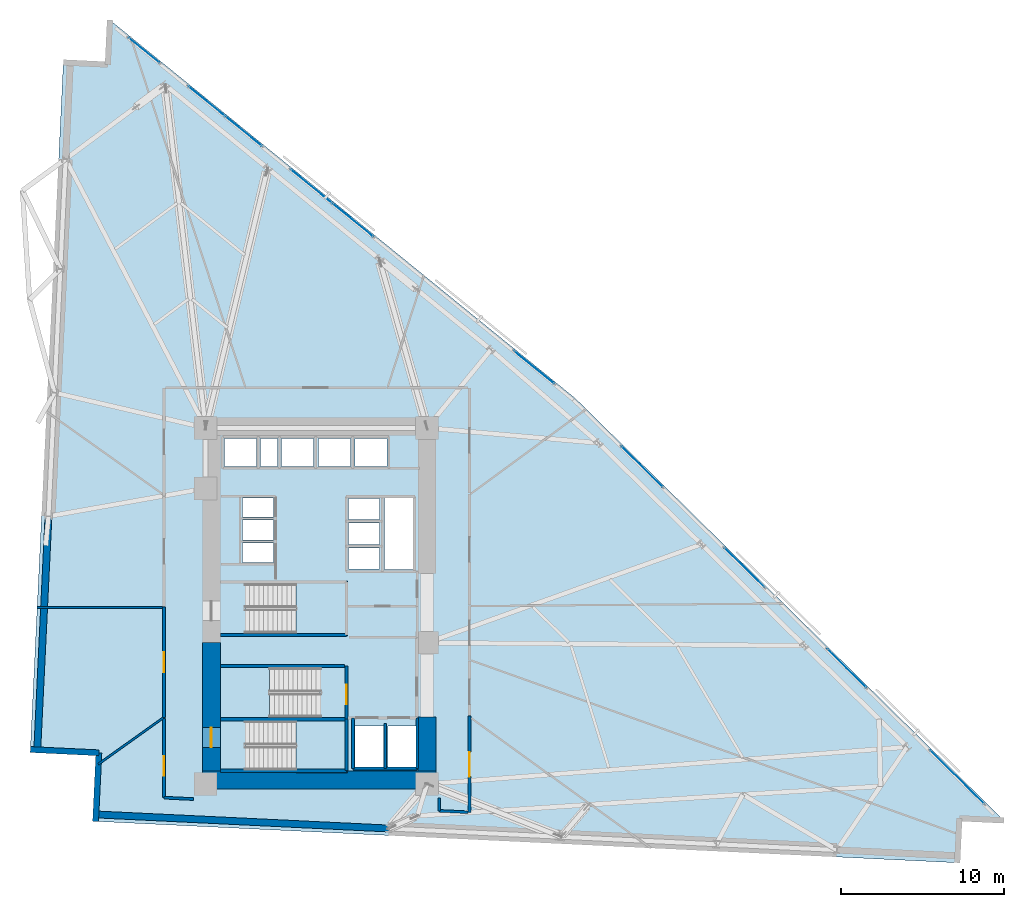
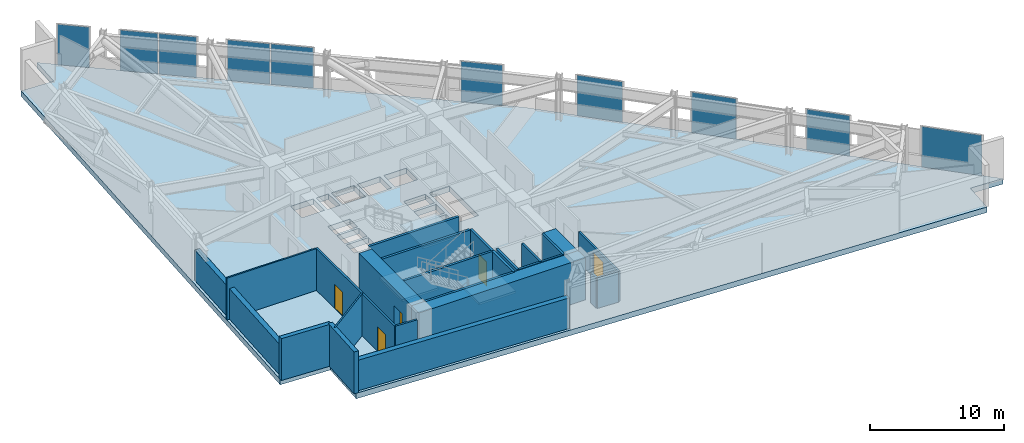
# One storey, part 12 of 18: 25 walls, 10 plates, 5 doors, 4 slabs, 5 openings, 11 elements without a shape of their own.
"""IFC4 building model written with IfcOpenShell, lengths in metres."""

import ifcopenshell
import ifcopenshell.guid

model = None  # the IFC model being written
_history = None  # IfcOwnerHistory: only IFC2X3 demands one
_inside = {}  # id of a spatial element -> (the spatial element, [elements in it])
_under = {}  # id of a project, library or spatial element -> (it, [spatial elements below it])
_declared = {}  # id of a project -> (the project, [libraries it declares])
_typed = {}  # id of a type object -> (the type object, [elements of that type])
_made_of = {}  # id of a material, layer set ... -> (it, [elements and type objects made of it])


def new_model(schema):
    """Start an empty IFC model of exactly this schema.

    Asked for "IFC4X3", IfcOpenShell would pick the latest addendum, in which some entities
    have other attributes; the version numbers below select the first issue.
    IFC2X3 requires an IfcOwnerHistory on every rooted entity: one is made here for all.
    """
    global model, _history
    if schema == "IFC4X3":
        model = ifcopenshell.file(schema_version=(4, 3, 0, 0))
    else:
        model = ifcopenshell.file(schema=schema)
    _inside.clear()
    _under.clear()
    _declared.clear()
    _typed.clear()
    _made_of.clear()
    _history = None
    if model.schema == "IFC2X3":
        org = make("IfcOrganization", Name="unknown")
        user = make(
            "IfcPersonAndOrganization",
            ThePerson=make("IfcPerson", FamilyName="unknown"),
            TheOrganization=org,
        )
        app = make(
            "IfcApplication",
            ApplicationDeveloper=org,
            Version="unknown",
            ApplicationFullName="unknown",
            ApplicationIdentifier="unknown",
        )
        _history = make(
            "IfcOwnerHistory",
            OwningUser=user,
            OwningApplication=app,
            ChangeAction="ADDED",
            CreationDate=0,
        )
    return model


def make(cls, **values):
    """One entity of the class cls with the attributes given. An attribute that is None is left unset."""
    return model.create_entity(
        cls, **{name: value for name, value in values.items() if value is not None}
    )


def rooted(cls, **values):
    """An entity with a GlobalId (a new one), such as an element, a storey or a relation."""
    return make(cls, GlobalId=ifcopenshell.guid.new(), OwnerHistory=_history, **values)


def si_unit(unit_type, name, prefix=None):
    """IfcSIUnit, for example si_unit("LENGTHUNIT", "METRE", prefix="MILLI")."""
    return make("IfcSIUnit", UnitType=unit_type, Prefix=prefix, Name=name)


def assignment(units):
    """IfcUnitAssignment: the units of a project."""
    return None if units is None else make("IfcUnitAssignment", Units=units)


def point(xyz):
    """IfcCartesianPoint."""
    return None if xyz is None else make("IfcCartesianPoint", Coordinates=xyz)


def direction(xyz):
    """IfcDirection."""
    return None if xyz is None else make("IfcDirection", DirectionRatios=xyz)


def frame(location, z_axis=None, x_axis=None):
    """IfcAxis2Placement3D, a coordinate frame: its origin and axes. An axis left out is left unset."""
    return make(
        "IfcAxis2Placement3D",
        Location=point(location),
        Axis=direction(z_axis),
        RefDirection=direction(x_axis),
    )


def frame_2d(location, x_axis=None):
    """IfcAxis2Placement2D, a coordinate frame in the plane: its origin and x axis."""
    return make(
        "IfcAxis2Placement2D", Location=point(location), RefDirection=direction(x_axis)
    )


def origin():
    """The frame at (0, 0, 0) with its axes left unset."""
    return frame((0.0, 0.0, 0.0))


def origin_2d():
    """The frame at (0, 0) in the plane with its x axis left unset."""
    return frame_2d((0.0, 0.0))


def place(relative_to, where):
    """IfcLocalPlacement: puts the frame where relative to a parent placement (None: the world)."""
    return make(
        "IfcLocalPlacement", PlacementRelTo=relative_to, RelativePlacement=where
    )


def context(
    kind, dimensions, precision=None, world=None, true_north=None, identifier=None
):
    """IfcGeometricRepresentationContext, for example the 3D "Model" context."""
    return make(
        "IfcGeometricRepresentationContext",
        ContextIdentifier=identifier,
        ContextType=kind,
        CoordinateSpaceDimension=dimensions,
        Precision=precision,
        WorldCoordinateSystem=world,
        TrueNorth=true_north,
    )


def subcontext(parent, identifier, kind, view, scale=None):
    """IfcGeometricRepresentationSubContext, for example "Body" below "Model"."""
    return make(
        "IfcGeometricRepresentationSubContext",
        ContextIdentifier=identifier,
        ContextType=kind,
        ParentContext=parent,
        TargetScale=scale,
        TargetView=view,
    )


def project(units=None, contexts=None):
    """IfcProject with its units and contexts."""
    return rooted(
        "IfcProject",
        Name="project",
        RepresentationContexts=contexts,
        UnitsInContext=assignment(units),
    )


def spatial(cls, under=None, at=None, **own):
    """A site, building, storey or space (cls), placed at a placement, below another one or the project."""
    s = rooted(cls, ObjectPlacement=at, **own)
    if under is not None:
        _under.setdefault(under.id(), (under, []))[1].append(s)
    return s


def polyline(points):
    """IfcPolyline through the points."""
    return make("IfcPolyline", Points=[point(p) for p in points])


def profile(cls, at=None, kind="AREA", **sizes):
    """A parametric profile (cls). Its sizes go by their IFC names, for example OverallWidth=200.0."""
    return make(cls, ProfileType=kind, Position=at, **sizes)


def rectangle(**sizes):
    """IfcRectangleProfileDef."""
    return profile("IfcRectangleProfileDef", **sizes)


def outline(outer, holes=None, kind="AREA"):
    """IfcArbitraryClosedProfileDef: a profile drawn as a closed curve; with holes, ...WithVoids."""
    if holes is None:
        return make("IfcArbitraryClosedProfileDef", ProfileType=kind, OuterCurve=outer)
    return make(
        "IfcArbitraryProfileDefWithVoids",
        ProfileType=kind,
        OuterCurve=outer,
        InnerCurves=holes,
    )


def extrude(swept, where, along, depth):
    """IfcExtrudedAreaSolid: the profile swept, set in the frame where, extruded along a direction by depth."""
    return make(
        "IfcExtrudedAreaSolid",
        SweptArea=swept,
        Position=where,
        ExtrudedDirection=direction(along),
        Depth=depth,
    )


def shape(context_of_items, identifier, shape_type, items):
    """IfcShapeRepresentation: the items that make up one representation, for example the "Body"."""
    return make(
        "IfcShapeRepresentation",
        ContextOfItems=context_of_items,
        RepresentationIdentifier=identifier,
        RepresentationType=shape_type,
        Items=items,
    )


def material(Name=None, Category=None):
    """IfcMaterial."""
    return make("IfcMaterial", Name=Name, Category=Category)


def layer(
    of_material, thickness, ventilated=None, Name=None, Category=None, Priority=None
):
    """IfcMaterialLayer: one layer of a wall or slab, of a material (None: an air gap)."""
    return make(
        "IfcMaterialLayer",
        Material=of_material,
        LayerThickness=thickness,
        IsVentilated=ventilated,
        Name=Name,
        Category=Category,
        Priority=Priority,
    )


def layer_set(layers, Name=None):
    """IfcMaterialLayerSet."""
    return make("IfcMaterialLayerSet", MaterialLayers=layers, LayerSetName=Name)


def made_of(thing, what):
    """Note that an element or type object is made of a material, layer set ...; save() writes the relation."""
    if what is not None:
        _made_of.setdefault(what.id(), (what, []))[1].append(thing)
    return thing


def type_object(cls, material=None, **own):
    """A type object (cls), such as IfcWallType, which elements share."""
    return made_of(rooted(cls, **own), material)


def element(
    cls,
    number,
    at=None,
    inside=None,
    cuts=None,
    type_object=None,
    material=None,
    context=None,
    identifier="Body",
    shape_type=None,
    held_by="IfcProductDefinitionShape",
    body=None,
    shapes=None,
    **own,
):
    """One element of the class cls, such as IfcWall. Its Tag is "e" and its number.

    at: its placement. inside: the storey or other place that contains it. cuts: it is an
    opening in that element (IfcRelVoidsElement). A single representation is given by context,
    identifier, shape_type and body (its items); several are given by shapes. held_by: the class
    of the entity that holds the representations. save() writes the other relations.
    """
    e = rooted(cls, Tag="e%d" % number, ObjectPlacement=at, **own)
    if body is not None:
        shapes = [shape(context, identifier, shape_type, body)]
    if shapes is not None:
        e.Representation = make(held_by, Representations=shapes)
    if inside is not None:
        _inside.setdefault(inside.id(), (inside, []))[1].append(e)
    if cuts is not None:
        rooted(
            "IfcRelVoidsElement", RelatingBuildingElement=cuts, RelatedOpeningElement=e
        )
    if type_object is not None:
        _typed.setdefault(type_object.id(), (type_object, []))[1].append(e)
    return made_of(e, material)


def fill(opening, filler):
    """IfcRelFillsElement: the door or window that sits in an opening."""
    return rooted(
        "IfcRelFillsElement",
        RelatingOpeningElement=opening,
        RelatedBuildingElement=filler,
    )


def aggregate(whole, parts):
    """IfcRelAggregates: a whole, such as a stair, and the parts it consists of."""
    return rooted("IfcRelAggregates", RelatingObject=whole, RelatedObjects=parts)


def save(model, path):
    """Write the relations noted so far, then the file.

    IfcRelAggregates (storeys below a building ...), IfcRelContainedInSpatialStructure (elements
    in a storey), IfcRelDefinesByType, IfcRelAssociatesMaterial and IfcRelDeclares: one each for
    every whole, place, type object, material and project.
    """
    for whole, parts in _under.values():
        aggregate(whole, parts)
    for where, things in _inside.values():
        rooted(
            "IfcRelContainedInSpatialStructure",
            RelatedElements=things,
            RelatingStructure=where,
        )
    for kind, things in _typed.values():
        rooted("IfcRelDefinesByType", RelatedObjects=things, RelatingType=kind)
    for what, things in _made_of.values():
        rooted("IfcRelAssociatesMaterial", RelatedObjects=things, RelatingMaterial=what)
    for by, libraries in _declared.values():
        rooted("IfcRelDeclares", RelatingContext=by, RelatedDefinitions=libraries)
    model.write(path)


model = new_model("IFC4")

# Units and contexts
model_context = context("Model", 3, precision=1e-05, world=origin(), true_north=direction((0.0, 1.0)))
body_context = subcontext(model_context, "Body", "Model", "MODEL_VIEW")
ifc_project = project(units=[si_unit("LENGTHUNIT", "METRE"), si_unit("AREAUNIT", "SQUARE_METRE"), si_unit("VOLUMEUNIT", "CUBIC_METRE"), si_unit("PLANEANGLEUNIT", "RADIAN"), si_unit("MASSUNIT", "GRAM", prefix="KILO")], contexts=[model_context])

# Site, building, storey
site_placement = place(None, origin())
site = spatial("IfcSite", under=ifc_project, at=site_placement, CompositionType="ELEMENT")
building_placement = place(site_placement, origin())
building = spatial("IfcBuilding", under=site, at=building_placement, Name="Narakoshi Arena Tower", CompositionType="ELEMENT")
storey_placement = place(building_placement, frame((0.0, 0.0, 59.10009765625)))
storey = spatial("IfcBuildingStorey", under=building, at=storey_placement, Name="L15", CompositionType="ELEMENT", Elevation=59.10009765625)

# Curtain wall, plate
ifc_material_1 = material(Name="Anodised bronze aluminium 6063-T6", Category="aluminium")
curtain_wall_type = type_object("IfcCurtainWallType", Name="CW-HYP-LOW", PredefinedType="NOTDEFINED", material=ifc_material_1)
curtain_wall_1_placement = place(storey_placement, origin())
curtain_wall_1 = element("IfcCurtainWall", 1, at=curtain_wall_1_placement, inside=storey, type_object=curtain_wall_type, Name="L15 Folded Hypotenuse Curtain Wall 1-1", PredefinedType="NOTDEFINED")
ifc_material_2 = material(Name="Bronze-tinted low-E laminated glass", Category="glass")
ifc_layer_1 = layer(ifc_material_2, 0.031982421875)
ifc_layer_set_1 = layer_set([ifc_layer_1], Name="Bronze-tinted low-E laminated glass")
plate_type = type_object("IfcPlateType", Name="PLT-GLZ-32", PredefinedType="CURTAIN_PANEL", material=ifc_layer_set_1)
plate_1_placement = place(storey_placement, frame((118.001220703125, 35.12255859375, 0.06494140625), z_axis=(0.0, 0.0, 1.0), x_axis=(-0.712545580767, 0.701625822878, 0.0)))
plate_1 = element("IfcPlate", 2, at=plate_1_placement, type_object=plate_type, Name="CW-01 panel 1.1", PredefinedType="CURTAIN_PANEL", context=body_context, shape_type="SweptSolid", body=[
    extrude(rectangle(XDim=4.63037109375, YDim=0.031982421875, at=origin_2d()), origin(), (0.0, 0.0, 1.0), 3.669921875),
])
aggregate(curtain_wall_1, [plate_1])

curtain_wall_2_placement = place(storey_placement, origin())
curtain_wall_2 = element("IfcCurtainWall", 3, at=curtain_wall_2_placement, inside=storey, type_object=curtain_wall_type, Name="L15 Folded Hypotenuse Curtain Wall 1-2", PredefinedType="NOTDEFINED")
plate_2_placement = place(storey_placement, frame((111.23583984375, 41.7841796875, 0.06494140625), z_axis=(0.0, 0.0, 1.0), x_axis=(-0.712532903003, 0.701638697719, 0.0)))
plate_2 = element("IfcPlate", 4, at=plate_2_placement, type_object=plate_type, Name="CW-01 panel 1.1", PredefinedType="CURTAIN_PANEL", context=body_context, shape_type="SweptSolid", body=[
    extrude(rectangle(XDim=3.31982421875, YDim=0.031982421875, at=origin_2d()), origin(), (0.0, 0.0, 1.0), 3.669921875),
])
aggregate(curtain_wall_2, [plate_2])

curtain_wall_3_placement = place(storey_placement, origin())
curtain_wall_3 = element("IfcCurtainWall", 5, at=curtain_wall_3_placement, inside=storey, type_object=curtain_wall_type, Name="L15 Folded Hypotenuse Curtain Wall 1-3", PredefinedType="NOTDEFINED")
plate_3_placement = place(storey_placement, frame((104.973388671875, 47.95068359375, 0.06494140625), z_axis=(0.0, 0.0, 1.0), x_axis=(-0.712547001399, 0.701624380133, 0.0)))
plate_3 = element("IfcPlate", 6, at=plate_3_placement, type_object=plate_type, Name="CW-01 panel 1.1", PredefinedType="CURTAIN_PANEL", context=body_context, shape_type="SweptSolid", body=[
    extrude(rectangle(XDim=3.420654296875, YDim=0.031982421875, at=origin_2d()), origin(), (0.0, 0.0, 1.0), 3.669921875),
])
aggregate(curtain_wall_3, [plate_3])

curtain_wall_4_placement = place(storey_placement, origin())
curtain_wall_4 = element("IfcCurtainWall", 7, at=curtain_wall_4_placement, inside=storey, type_object=curtain_wall_type, Name="L15 Folded Hypotenuse Curtain Wall 1-4", PredefinedType="NOTDEFINED")
plate_4_placement = place(storey_placement, frame((98.7109375, 54.117431640625, 0.06494140625), z_axis=(0.0, 0.0, 1.0), x_axis=(-0.712546916843, 0.701624466006, 0.0)))
plate_4 = element("IfcPlate", 8, at=plate_4_placement, type_object=plate_type, Name="CW-01 panel 1.1", PredefinedType="CURTAIN_PANEL", context=body_context, shape_type="SweptSolid", body=[
    extrude(rectangle(XDim=3.521240234375, YDim=0.031982421875, at=origin_2d()), origin(), (0.0, 0.0, 1.0), 3.669921875),
])
aggregate(curtain_wall_4, [plate_4])

curtain_wall_5_placement = place(storey_placement, origin())
curtain_wall_5 = element("IfcCurtainWall", 9, at=curtain_wall_5_placement, inside=storey, type_object=curtain_wall_type, Name="L15 Folded Hypotenuse Curtain Wall 2-1", PredefinedType="NOTDEFINED")
plate_5_placement = place(storey_placement, frame((92.10009765625, 60.208740234375, 0.06494140625), z_axis=(0.0, 0.0, 1.0), x_axis=(-0.776000362361, 0.630732461203, 0.0)))
plate_5 = element("IfcPlate", 10, at=plate_5_placement, type_object=plate_type, Name="CW-01 panel 1.1", PredefinedType="CURTAIN_PANEL", context=body_context, shape_type="SweptSolid", body=[
    extrude(rectangle(XDim=3.13427734375, YDim=0.031982421875, at=origin_2d()), origin(), (0.0, 0.0, 1.0), 3.669921875),
])
aggregate(curtain_wall_5, [plate_5])

# Curtain wall, plates
curtain_wall_6_placement = place(storey_placement, origin())
curtain_wall_6 = element("IfcCurtainWall", 11, at=curtain_wall_6_placement, inside=storey, type_object=curtain_wall_type, Name="L15 Folded Hypotenuse Curtain Wall 2-2", PredefinedType="NOTDEFINED")
plate_6_placement = place(storey_placement, frame((81.0068359375, 69.225341796875, 0.06494140625), z_axis=(0.0, 0.0, 1.0), x_axis=(-0.775999639222, 0.630733350892, 0.0)))
plate_6 = element("IfcPlate", 12, at=plate_6_placement, type_object=plate_type, Name="CW-01 panel 1.1", PredefinedType="CURTAIN_PANEL", context=body_context, shape_type="SweptSolid", body=[
    extrude(rectangle(XDim=3.20458984375, YDim=0.031982421875, at=origin_2d()), origin(), (0.0, 0.0, 1.0), 3.669921875),
])
plate_7_placement = place(storey_placement, frame((78.4619140625, 71.293701171875, 0.06494140625), z_axis=(0.0, 0.0, 1.0), x_axis=(-0.775999639222, 0.630733350892, 0.0)))
plate_7 = element("IfcPlate", 13, at=plate_7_placement, type_object=plate_type, Name="CW-01 panel 2.1", PredefinedType="CURTAIN_PANEL", context=body_context, shape_type="SweptSolid", body=[
    extrude(rectangle(XDim=3.20458984375, YDim=0.031982421875, at=origin_2d()), origin(), (0.0, 0.0, 1.0), 3.669921875),
])
aggregate(curtain_wall_6, [plate_6, plate_7])

curtain_wall_7_placement = place(storey_placement, origin())
curtain_wall_7 = element("IfcCurtainWall", 14, at=curtain_wall_7_placement, inside=storey, type_object=curtain_wall_type, Name="L15 Folded Hypotenuse Curtain Wall 2-3", PredefinedType="NOTDEFINED")
plate_8_placement = place(storey_placement, frame((74.31640625, 74.663330078125, 0.06494140625), z_axis=(0.0, 0.0, 1.0), x_axis=(-0.776000450571, 0.630732352677, 0.0)))
plate_8 = element("IfcPlate", 15, at=plate_8_placement, type_object=plate_type, Name="CW-01 panel 1.1", PredefinedType="CURTAIN_PANEL", context=body_context, shape_type="SweptSolid", body=[
    extrude(rectangle(XDim=2.837646484375, YDim=0.031982421875, at=origin_2d()), origin(), (0.0, 0.0, 1.0), 3.669921875),
])
plate_9_placement = place(storey_placement, frame((72.05615234375, 76.500244140625, 0.06494140625), z_axis=(0.0, 0.0, 1.0), x_axis=(-0.776000450571, 0.630732352677, 0.0)))
plate_9 = element("IfcPlate", 16, at=plate_9_placement, type_object=plate_type, Name="CW-01 panel 2.1", PredefinedType="CURTAIN_PANEL", context=body_context, shape_type="SweptSolid", body=[
    extrude(rectangle(XDim=2.837646484375, YDim=0.031982421875, at=origin_2d()), origin(), (0.0, 0.0, 1.0), 3.669921875),
])
aggregate(curtain_wall_7, [plate_8, plate_9])

# Curtain wall, plate
curtain_wall_8_placement = place(storey_placement, origin())
curtain_wall_8 = element("IfcCurtainWall", 17, at=curtain_wall_8_placement, inside=storey, type_object=curtain_wall_type, Name="L15 Folded Hypotenuse Curtain Wall 2-4", PredefinedType="NOTDEFINED")
plate_10_placement = place(storey_placement, frame((68.222412109375, 79.616455078125, 0.06494140625), z_axis=(0.0, 0.0, 1.0), x_axis=(-0.776007266812, 0.63072396645, 0.0)))
plate_10 = element("IfcPlate", 18, at=plate_10_placement, type_object=plate_type, Name="CW-01 panel 1.1", PredefinedType="CURTAIN_PANEL", context=body_context, shape_type="SweptSolid", body=[
    extrude(rectangle(XDim=2.40087890625, YDim=0.031982421875, at=origin_2d()), origin(), (0.0, 0.0, 1.0), 3.669921875),
])
aggregate(curtain_wall_8, [plate_10])

# Stair, slab
ifc_material_3 = material(Name="Concrete C45/55", Category="concrete")
stair_type = type_object("IfcStairType", Name="STR-PLANT-420", PredefinedType="TWO_STRAIGHT_RUN_STAIR", material=ifc_material_3)
stair_1_placement = place(storey_placement, origin())
stair_1 = element("IfcStair", 19, at=stair_1_placement, inside=storey, type_object=stair_type, Name="L15 Core Escape Stair ST1", PredefinedType="TWO_STRAIGHT_RUN_STAIR")
ifc_layer_2 = layer(ifc_material_3, 0.18994140625)
ifc_layer_set_2 = layer_set([ifc_layer_2], Name="Concrete C45/55")
slab_type_1 = type_object("IfcSlabType", Name="SLB-LND-190", PredefinedType="LANDING", material=ifc_layer_set_2)
slab_1_placement = place(storey_placement, frame((0.0, 0.0, 1.909912109375)))
slab_1 = element("IfcSlab", 20, at=slab_1_placement, type_object=slab_type_1, Name="ST1 landing 1", PredefinedType="LANDING", context=body_context, shape_type="SweptSolid", body=[
    extrude(outline(polyline([(77.534912109375, 35.3701171875), (80.679931640625, 35.3701171875), (80.679931640625, 38.72998046875), (77.534912109375, 38.72998046875), (77.534912109375, 35.3701171875)])), origin(), (0.0, 0.0, 1.0), 0.18994140625),
])
aggregate(stair_1, [slab_1])

stair_2_placement = place(storey_placement, origin())
stair_2 = element("IfcStair", 21, at=stair_2_placement, inside=storey, type_object=stair_type, Name="L15 Core Escape Stair ST2", PredefinedType="TWO_STRAIGHT_RUN_STAIR")
slab_2_placement = place(storey_placement, frame((0.0, 0.0, 1.909912109375)))
slab_2 = element("IfcSlab", 22, at=slab_2_placement, type_object=slab_type_1, Name="ST2 landing 1", PredefinedType="LANDING", context=body_context, shape_type="SweptSolid", body=[
    extrude(outline(polyline([(72.77001953125, 38.6201171875), (75.9150390625, 38.6201171875), (75.9150390625, 41.97998046875), (72.77001953125, 41.97998046875), (72.77001953125, 38.6201171875)])), origin(), (0.0, 0.0, 1.0), 0.18994140625),
])
aggregate(stair_2, [slab_2])

stair_3_placement = place(storey_placement, origin())
stair_3 = element("IfcStair", 23, at=stair_3_placement, inside=storey, type_object=stair_type, Name="L15 Core Escape Stair ST3", PredefinedType="TWO_STRAIGHT_RUN_STAIR")
slab_3_placement = place(storey_placement, frame((0.0, 0.0, 1.909912109375)))
slab_3 = element("IfcSlab", 24, at=slab_3_placement, type_object=slab_type_1, Name="ST3 landing 1", PredefinedType="LANDING", context=body_context, shape_type="SweptSolid", body=[
    extrude(outline(polyline([(77.534912109375, 43.77001953125), (80.679931640625, 43.77001953125), (80.679931640625, 47.1298828125), (77.534912109375, 47.1298828125), (77.534912109375, 43.77001953125)])), origin(), (0.0, 0.0, 1.0), 0.18994140625),
])
aggregate(stair_3, [slab_3])

# Slab
ifc_material_4 = material(Name="Concrete C50/60", Category="concrete")
ifc_layer_3 = layer(ifc_material_4, 0.5)
ifc_layer_set_3 = layer_set([ifc_layer_3], Name="Concrete C50/60")
slab_type_2 = type_object("IfcSlabType", Name="SLB-XFER-500", PredefinedType="FLOOR", material=ifc_layer_set_3)
slab_4_placement = place(storey_placement, frame((0.0, 0.0, -0.5)))
element("IfcSlab", 25, at=slab_4_placement, inside=storey, type_object=slab_type_2, Name="L15 Structural Floor Slab", PredefinedType="FLOOR", context=body_context, shape_type="SweptSolid", body=[
    extrude(outline(polyline([(65.26025390625, 32.416015625), (117.99951171875, 29.8828125), (118.130615234375, 32.609619140625), (120.857421875, 32.478515625), (94.614013671875, 58.31982421875), (66.144287109375, 81.4599609375), (66.013427734375, 78.733154296875), (63.28662109375, 78.8642578125), (61.2666015625, 36.8125), (65.4619140625, 36.611083984375), (65.26025390625, 32.416015625)]), holes=[polyline([(74.47998046875, 35.550048828125), (74.47998046875, 38.550048828125), (80.5, 38.550048828125), (80.5, 35.550048828125), (74.47998046875, 35.550048828125)]), polyline([(81.14990234375, 35.75), (81.14990234375, 38.25), (82.89990234375, 38.25), (82.89990234375, 35.75), (81.14990234375, 35.75)]), polyline([(83.14990234375, 35.75), (83.14990234375, 38.25), (84.89990234375, 38.25), (84.89990234375, 35.75), (83.14990234375, 35.75)]), polyline([(72.949951171875, 38.800048828125), (72.949951171875, 41.800048828125), (78.969970703125, 41.800048828125), (78.969970703125, 38.800048828125), (72.949951171875, 38.800048828125)]), polyline([(74.47998046875, 43.949951171875), (74.47998046875, 46.949951171875), (80.5, 46.949951171875), (80.5, 43.949951171875), (74.47998046875, 43.949951171875)]), polyline([(82.949951171875, 47.840087890625), (82.949951171875, 52.199951171875), (84.699951171875, 52.199951171875), (84.699951171875, 47.840087890625), (82.949951171875, 47.840087890625)]), polyline([(80.75, 47.85009765625), (80.75, 49.14990234375), (82.64990234375, 49.14990234375), (82.64990234375, 47.85009765625), (80.75, 47.85009765625)]), polyline([(74.25, 48.25), (74.25, 49.449951171875), (76.14990234375, 49.449951171875), (76.14990234375, 48.25), (74.25, 48.25)]), polyline([(80.75, 49.3701171875), (80.75, 50.669921875), (82.64990234375, 50.669921875), (82.64990234375, 49.3701171875), (80.75, 49.3701171875)]), polyline([(74.25, 49.64990234375), (74.25, 50.85009765625), (76.14990234375, 50.85009765625), (76.14990234375, 49.64990234375), (74.25, 49.64990234375)]), polyline([(80.75, 50.889892578125), (80.75, 52.18994140625), (82.64990234375, 52.18994140625), (82.64990234375, 50.889892578125), (80.75, 50.889892578125)]), polyline([(74.25, 51.050048828125), (74.25, 52.2099609375), (76.14990234375, 52.2099609375), (76.14990234375, 51.050048828125), (74.25, 51.050048828125)]), polyline([(73.14990234375, 54.14990234375), (73.14990234375, 55.85009765625), (75.10009765625, 55.85009765625), (75.10009765625, 54.14990234375), (73.14990234375, 54.14990234375)]), polyline([(75.35009765625, 54.14990234375), (75.35009765625, 55.85009765625), (76.39990234375, 55.85009765625), (76.39990234375, 54.14990234375), (75.35009765625, 54.14990234375)]), polyline([(76.64990234375, 54.14990234375), (76.64990234375, 55.85009765625), (78.60009765625, 55.85009765625), (78.60009765625, 54.14990234375), (76.64990234375, 54.14990234375)]), polyline([(78.89990234375, 55.85009765625), (80.85009765625, 55.85009765625), (80.85009765625, 54.14990234375), (78.89990234375, 54.14990234375), (78.89990234375, 55.85009765625)]), polyline([(81.14990234375, 55.85009765625), (83.10009765625, 55.85009765625), (83.10009765625, 54.14990234375), (81.14990234375, 54.14990234375), (81.14990234375, 55.85009765625)])]), origin(), (0.0, 0.0, 1.0), 0.5),
])

# Wall, opening, door
ifc_material_5 = material(Name="Concrete C60/75", Category="concrete")
ifc_layer_4 = layer(ifc_material_5, 1.10009765625)
ifc_layer_set_4 = layer_set([ifc_layer_4], Name="Concrete C60/75")
wall_type_1 = type_object("IfcWallType", Name="WL-CORE-1100", PredefinedType="SHEAR", material=ifc_layer_set_4)
wall_1_placement = place(storey_placement, frame((72.35009765625, 35.5, -0.5), z_axis=(0.0, 0.0, 1.0), x_axis=(0.0, 1.0, 0.0)))
wall_1 = element("IfcWall", 26, at=wall_1_placement, inside=storey, type_object=wall_type_1, Name="L15 Central Core Shear Wall CW-APX-W", PredefinedType="SHEAR", context=body_context, shape_type="SweptSolid", body=[
    extrude(rectangle(XDim=7.85009765625, YDim=1.10009765625, at=frame_2d((3.925048828125, 0.0))), origin(), (0.0, 0.0, 1.0), 4.2998046875),
])
opening_1_placement = place(wall_1_placement, frame((1.449951171875, 0.0, 0.5)))
opening_1 = element("IfcOpeningElement", 27, at=opening_1_placement, cuts=wall_1, Name="Opening D-03", PredefinedType="OPENING", context=body_context, shape_type="SweptSolid", body=[
    extrude(rectangle(XDim=1.199951171875, YDim=2.199951171875, at=frame_2d((0.60009765625, 1.10009765625))), frame((0.0, 0.56005859375, 0.0), z_axis=(0.0, -1.0, 0.0), x_axis=(1.0, 0.0, 0.0)), (0.0, 0.0, 1.0), 1.1201171875),
])
ifc_material_6 = material(Name="Painted galvanized steel", Category="steel")
door_type_1 = type_object("IfcDoorType", Name="DR-STR-1200", OperationType="NOTDEFINED", PredefinedType="USERDEFINED", material=ifc_material_6)
door_1_placement = place(opening_1_placement, frame((1.199951171875, 0.0, 0.0), z_axis=(0.0, 0.0, 1.0), x_axis=(-1.0, 0.0, 0.0)))
door_1 = element("IfcDoor", 28, at=door_1_placement, inside=storey, type_object=door_type_1, Name="DR-L15-001", ObjectType="EXITDOOR", OperationType="SINGLE_SWING_LEFT", OverallHeight=2.199951171875, OverallWidth=1.199951171875, PredefinedType="USERDEFINED", context=body_context, shape_type="SweptSolid", body=[
    extrude(rectangle(XDim=1.199951171875, YDim=2.199951171875, at=frame_2d((0.60009765625, 1.10009765625))), frame((0.0, 0.02490234375, 0.0), z_axis=(0.0, -1.0, 0.0), x_axis=(1.0, 0.0, 0.0)), (0.0, 0.0, 1.0), 0.050048828125),
])
fill(opening_1, door_1)

# Walls
wall_2_placement = place(storey_placement, frame((71.800048828125, 34.949951171875, -0.5), z_axis=(0.0, 0.0, 1.0), x_axis=(1.0, 0.0, 0.0)))
element("IfcWall", 29, at=wall_2_placement, inside=storey, type_object=wall_type_1, Name="L15 Central Core Shear Wall CW-APX-S", PredefinedType="SHEAR", context=body_context, shape_type="SweptSolid", body=[
    extrude(rectangle(XDim=14.300048828125, YDim=1.10009765625, at=frame_2d((7.14990234375, 0.0))), origin(), (0.0, 0.0, 1.0), 4.2998046875),
])
wall_3_placement = place(storey_placement, frame((85.550048828125, 35.5, -0.5), z_axis=(0.0, 0.0, 1.0), x_axis=(0.0, 1.0, 0.0)))
element("IfcWall", 30, at=wall_3_placement, inside=storey, type_object=wall_type_1, Name="L15 Central Core Shear Wall CW-APX-E", PredefinedType="SHEAR", context=body_context, shape_type="SweptSolid", body=[
    extrude(rectangle(XDim=3.300048828125, YDim=1.10009765625, at=frame_2d((1.64990234375, 0.0))), origin(), (0.0, 0.0, 1.0), 4.2998046875),
])

# Wall, opening, door
ifc_material_7 = material(Name="Gypsum plasterboard fire-rated partition")
ifc_layer_5 = layer(ifc_material_7, 0.1650390625)
ifc_layer_set_5 = layer_set([ifc_layer_5], Name="Gypsum plasterboard fire-rated partition")
wall_type_2 = type_object("IfcWallType", Name="WL-CORR-165", PredefinedType="PARTITIONING", material=ifc_layer_set_5)
wall_4_placement = place(storey_placement, frame((69.449951171875, 45.547119140625, 0.0), z_axis=(0.0, 0.0, 1.0), x_axis=(0.0, -1.0, 0.0)))
wall_4 = element("IfcWall", 31, at=wall_4_placement, inside=storey, type_object=wall_type_2, Name="L15 Corridor Partition 01-1", PredefinedType="PARTITIONING", context=body_context, shape_type="SweptSolid", body=[
    extrude(rectangle(XDim=6.787841796875, YDim=0.1650390625, at=frame_2d((3.39404296875, 0.0))), origin(), (0.0, 0.0, 1.0), 3.7998046875),
])
opening_2_placement = place(wall_4_placement, frame((2.7939453125, 0.0, 0.0)))
opening_2 = element("IfcOpeningElement", 32, at=opening_2_placement, cuts=wall_4, Name="Opening D-03", PredefinedType="OPENING", context=body_context, shape_type="SweptSolid", body=[
    extrude(rectangle(XDim=1.199951171875, YDim=2.199951171875, at=frame_2d((0.60009765625, 1.10009765625))), frame((0.0, 0.092529296875, 0.0), z_axis=(0.0, -1.0, 0.0), x_axis=(1.0, 0.0, 0.0)), (0.0, 0.0, 1.0), 0.18505859375),
])
door_2_placement = place(opening_2_placement, frame((1.199951171875, 0.0, 0.0), z_axis=(0.0, 0.0, 1.0), x_axis=(-1.0, 0.0, 0.0)))
door_2 = element("IfcDoor", 33, at=door_2_placement, inside=storey, type_object=door_type_1, Name="DR-L15-013", ObjectType="EXITDOOR", OperationType="SINGLE_SWING_LEFT", OverallHeight=2.199951171875, OverallWidth=1.199951171875, PredefinedType="USERDEFINED", context=body_context, shape_type="SweptSolid", body=[
    extrude(rectangle(XDim=1.199951171875, YDim=2.199951171875, at=frame_2d((0.60009765625, 1.10009765625))), frame((0.0, 0.02490234375, 0.0), z_axis=(0.0, -1.0, 0.0), x_axis=(1.0, 0.0, 0.0)), (0.0, 0.0, 1.0), 0.050048828125),
])
fill(opening_2, door_2)

wall_5_placement = place(storey_placement, frame((69.449951171875, 38.697998046875, 0.0), z_axis=(0.0, 0.0, 1.0), x_axis=(0.0, -1.0, 0.0)))
wall_5 = element("IfcWall", 34, at=wall_5_placement, inside=storey, type_object=wall_type_2, Name="L15 Corridor Partition 02-1", PredefinedType="PARTITIONING", context=body_context, shape_type="SweptSolid", body=[
    extrude(rectangle(XDim=4.831298828125, YDim=0.1650390625, at=frame_2d((2.41552734375, 0.0))), origin(), (0.0, 0.0, 1.0), 3.7998046875),
])
opening_3_placement = place(wall_5_placement, frame((2.30029296875, 0.0, 0.0)))
opening_3 = element("IfcOpeningElement", 35, at=opening_3_placement, cuts=wall_5, Name="Opening D-03", PredefinedType="OPENING", context=body_context, shape_type="SweptSolid", body=[
    extrude(rectangle(XDim=1.199951171875, YDim=2.199951171875, at=frame_2d((0.60009765625, 1.10009765625))), frame((0.0, 0.092529296875, 0.0), z_axis=(0.0, -1.0, 0.0), x_axis=(1.0, 0.0, 0.0)), (0.0, 0.0, 1.0), 0.18505859375),
])
door_3_placement = place(opening_3_placement, frame((1.199951171875, 0.0, 0.0), z_axis=(0.0, 0.0, 1.0), x_axis=(-1.0, 0.0, 0.0)))
door_3 = element("IfcDoor", 36, at=door_3_placement, inside=storey, type_object=door_type_1, Name="DR-L15-014", ObjectType="EXITDOOR", OperationType="SINGLE_SWING_RIGHT", OverallHeight=2.199951171875, OverallWidth=1.199951171875, PredefinedType="USERDEFINED", context=body_context, shape_type="SweptSolid", body=[
    extrude(rectangle(XDim=1.199951171875, YDim=2.199951171875, at=frame_2d((0.60009765625, 1.10009765625))), frame((0.0, 0.02490234375, 0.0), z_axis=(0.0, -1.0, 0.0), x_axis=(1.0, 0.0, 0.0)), (0.0, 0.0, 1.0), 0.050048828125),
])
fill(opening_3, door_3)

# Wall
wall_6_placement = place(storey_placement, frame((69.449951171875, 33.86669921875, 0.0), z_axis=(0.0, 0.0, 1.0), x_axis=(0.998849363928, -0.047957774967, 0.0)))
element("IfcWall", 37, at=wall_6_placement, inside=storey, type_object=wall_type_2, Name="L15 Corridor Partition 02-2", PredefinedType="PARTITIONING", context=body_context, shape_type="SweptSolid", body=[
    extrude(rectangle(XDim=1.802001953125, YDim=0.1650390625, at=frame_2d((0.90087890625, 0.0))), origin(), (0.0, 0.0, 1.0), 3.7998046875),
])

# Wall, opening, door
wall_7_placement = place(storey_placement, frame((88.14990234375, 32.968505859375, 0.0), z_axis=(0.0, 0.0, 1.0), x_axis=(0.0, 1.0, 0.0)))
wall_7 = element("IfcWall", 38, at=wall_7_placement, inside=storey, type_object=wall_type_2, Name="L15 Corridor Partition 03-1", PredefinedType="PARTITIONING", context=body_context, shape_type="SweptSolid", body=[
    extrude(rectangle(XDim=5.8857421875, YDim=0.1650390625, at=frame_2d((2.94287109375, 0.0))), origin(), (0.0, 0.0, 1.0), 2.77685546875),
])
opening_4_placement = place(wall_7_placement, frame((2.19287109375, 0.0, 0.0)))
opening_4 = element("IfcOpeningElement", 39, at=opening_4_placement, cuts=wall_7, Name="Opening D-09", PredefinedType="OPENING", context=body_context, shape_type="SweptSolid", body=[
    extrude(rectangle(XDim=1.5, YDim=2.25, at=frame_2d((0.75, 1.125))), frame((0.0, 0.092529296875, 0.0), z_axis=(0.0, -1.0, 0.0), x_axis=(1.0, 0.0, 0.0)), (0.0, 0.0, 1.0), 0.18505859375),
])
door_type_2 = type_object("IfcDoorType", Name="DR-PLT-1500", OperationType="DOUBLE_DOOR_SINGLE_SWING", PredefinedType="DOOR", material=ifc_material_6)
door_4_placement = place(opening_4_placement, frame((1.5, 0.0, 0.0), z_axis=(0.0, 0.0, 1.0), x_axis=(-1.0, 0.0, 0.0)))
door_4 = element("IfcDoor", 40, at=door_4_placement, inside=storey, type_object=door_type_2, Name="DR-L15-015", OperationType="DOUBLE_DOOR_SINGLE_SWING", OverallHeight=2.25, OverallWidth=1.5, PredefinedType="DOOR", context=body_context, shape_type="SweptSolid", body=[
    extrude(rectangle(XDim=1.5, YDim=2.25, at=frame_2d((0.75, 1.125))), frame((0.0, 0.02490234375, 0.0), z_axis=(0.0, -1.0, 0.0), x_axis=(1.0, 0.0, 0.0)), (0.0, 0.0, 1.0), 0.050048828125),
])
fill(opening_4, door_4)

# Walls
wall_8_placement = place(storey_placement, frame((86.300048828125, 33.057373046875, 0.0), z_axis=(0.0, 0.0, 1.0), x_axis=(0.998844124848, -0.048066768734, 0.0)))
element("IfcWall", 41, at=wall_8_placement, inside=storey, type_object=wall_type_2, Name="L15 Corridor Partition 03-2", PredefinedType="PARTITIONING", context=body_context, shape_type="SweptSolid", body=[
    extrude(rectangle(XDim=1.75732421875, YDim=0.1650390625, at=frame_2d((0.878662109375, 0.0))), origin(), (0.0, 0.0, 1.0), 2.77685546875),
])
wall_9_placement = place(storey_placement, frame((86.300048828125, 33.85009765625, 0.0), z_axis=(0.0, 0.0, 1.0), x_axis=(0.0, -1.0, 0.0)))
element("IfcWall", 42, at=wall_9_placement, inside=storey, type_object=wall_type_2, Name="L15 Corridor Partition 03-3", PredefinedType="PARTITIONING", context=body_context, shape_type="SweptSolid", body=[
    extrude(rectangle(XDim=0.792724609375, YDim=0.1650390625, at=frame_2d((0.396484375, 0.0))), origin(), (0.0, 0.0, 1.0), 2.77685546875),
])
ifc_layer_6 = layer(ifc_material_7, 0.125)
ifc_layer_set_6 = layer_set([ifc_layer_6], Name="Gypsum plasterboard fire-rated partition")
wall_type_3 = type_object("IfcWallType", Name="WL-PART-125", PredefinedType="PARTITIONING", material=ifc_layer_set_6)
wall_10_placement = place(storey_placement, frame((69.40771484375, 38.75927734375, 0.0), z_axis=(0.0, 0.0, 1.0), x_axis=(-0.813784071298, -0.581167347071, 0.0)))
element("IfcWall", 43, at=wall_10_placement, inside=storey, type_object=wall_type_3, Name="L15 Inter-Room Partition 01-02", PredefinedType="PARTITIONING", context=body_context, shape_type="SweptSolid", body=[
    extrude(rectangle(XDim=4.889892578125, YDim=0.125, at=frame_2d((2.44482421875, 0.0))), origin(), (0.0, 0.0, 1.0), 3.7998046875),
])
wall_11_placement = place(storey_placement, frame((61.684814453125, 45.517578125, 0.0), z_axis=(0.0, 0.0, 1.0), x_axis=(0.999999657602, -0.000827524463, 0.0)))
element("IfcWall", 44, at=wall_11_placement, inside=storey, type_object=wall_type_3, Name="L15 Inter-Room Partition 01-10", PredefinedType="PARTITIONING", context=body_context, shape_type="SweptSolid", body=[
    extrude(rectangle(XDim=7.670654296875, YDim=0.125, at=frame_2d((3.83544921875, 0.0))), origin(), (0.0, 0.0, 1.0), 3.7998046875),
])
ifc_material_8 = material(Name="Precast concrete C45/55", Category="concrete")
ifc_layer_7 = layer(ifc_material_8, 0.419921875)
ifc_layer_set_7 = layer_set([ifc_layer_7], Name="Precast concrete C45/55")
wall_type_4 = type_object("IfcWallType", Name="WL-POD-420", PredefinedType="SOLIDWALL", material=ifc_layer_set_7)
wall_12_placement = place(storey_placement, frame((65.28076171875, 32.840576171875, 0.0), z_axis=(0.0, 0.0, 1.0), x_axis=(0.998848298084, -0.047979968897, 0.0)))
element("IfcWall", 45, at=wall_12_placement, inside=storey, type_object=wall_type_4, Name="L15 Architectural Concrete Facade Wall LEGA-1", PredefinedType="SOLIDWALL", context=body_context, shape_type="SweptSolid", body=[
    extrude(rectangle(XDim=17.951904296875, YDim=0.419921875, at=frame_2d((8.97607421875, 0.0))), origin(), (0.0, 0.0, 1.0), 2.77685546875),
])
wall_13_placement = place(storey_placement, frame((62.3779296875, 51.08984375, 0.0), z_axis=(0.0, 0.0, 1.0), x_axis=(-0.047978424452, -0.99884837227, 0.0)))
element("IfcWall", 46, at=wall_13_placement, inside=storey, type_object=wall_type_4, Name="L15 Architectural Concrete Facade Wall LEGB-3", PredefinedType="SOLIDWALL", context=body_context, shape_type="SweptSolid", body=[
    extrude(rectangle(XDim=14.314208984375, YDim=0.419921875, at=frame_2d((7.1572265625, 0.0))), origin(), (0.0, 0.0, 1.0), 2.77685546875),
])
wall_14_placement = place(storey_placement, frame((61.2666015625, 36.8125, 0.0), z_axis=(0.0, 0.0, 1.0), x_axis=(0.998849519138, -0.047954542207, 0.0)))
element("IfcWall", 47, at=wall_14_placement, inside=storey, type_object=wall_type_4, Name="L15 Re-Entrant Corner Notch Wall NTA-1", PredefinedType="SOLIDWALL", context=body_context, shape_type="SweptSolid", body=[
    extrude(rectangle(XDim=4.2001953125, YDim=0.360107421875, at=frame_2d((2.10009765625, 0.0))), origin(), (0.0, 0.0, 1.0), 3.7998046875),
])
wall_15_placement = place(storey_placement, frame((65.4619140625, 36.611083984375, 0.0), z_axis=(0.0, 0.0, 1.0), x_axis=(-0.048015322758, -0.998846599224, 0.0)))
element("IfcWall", 48, at=wall_15_placement, inside=storey, type_object=wall_type_4, Name="L15 Re-Entrant Corner Notch Wall NTA-2", PredefinedType="SOLIDWALL", context=body_context, shape_type="SweptSolid", body=[
    extrude(rectangle(XDim=4.199951171875, YDim=0.360107421875, at=frame_2d((2.10009765625, 0.0))), origin(), (0.0, 0.0, 1.0), 3.7998046875),
])
ifc_material_9 = material(Name="Concrete C40/50", Category="concrete")
ifc_layer_8 = layer(ifc_material_9, 0.280029296875)
ifc_layer_set_8 = layer_set([ifc_layer_8], Name="Concrete C40/50")
wall_type_5 = type_object("IfcWallType", Name="WL-RISER-280", PredefinedType="PLUMBINGWALL", material=ifc_layer_set_8)
wall_16_placement = place(storey_placement, frame((83.0, 35.64990234375, 0.0), z_axis=(0.0, 0.0, 1.0), x_axis=(0.0, 1.0, 0.0)))
element("IfcWall", 49, at=wall_16_placement, inside=storey, type_object=wall_type_5, Name="L15 Core Wall FF-DIV", PredefinedType="PLUMBINGWALL", context=body_context, shape_type="SweptSolid", body=[
    extrude(rectangle(XDim=2.75, YDim=0.159912109375, at=frame_2d((1.375, 0.0))), origin(), (0.0, 0.0, 1.0), 3.7998046875),
])
ifc_layer_9 = layer(ifc_material_4, 0.35009765625)
ifc_layer_set_9 = layer_set([ifc_layer_9], Name="Concrete C50/60")
wall_type_6 = type_object("IfcWallType", Name="WL-SHAFT-350", PredefinedType="SOLIDWALL", material=ifc_layer_set_9)
for number, where, z_axis, x_axis, name in (
    (50, (72.919921875, 35.52001953125, -0.5), (0.0, 0.0, 1.0), (1.0, 0.0, 0.0), "L15 Core Wall ST1-S"),
    (51, (72.919921875, 38.675048828125, -0.5), (0.0, 0.0, 1.0), (1.0, 0.0, 0.0), "L15 Core Wall ST12-DIV"),
):
    element("IfcWall", number, at=place(storey_placement, frame(where, z_axis=z_axis, x_axis=x_axis)), inside=storey, type_object=wall_type_6, Name=name, PredefinedType="SOLIDWALL", context=body_context, shape_type="SweptSolid", body=[
        extrude(rectangle(XDim=7.7001953125, YDim=0.199951171875, at=frame_2d((3.85009765625, 0.0))), origin(), (0.0, 0.0, 1.0), 4.2998046875),
    ])
wall_17_placement = place(storey_placement, frame((80.6201171875, 35.52001953125, -0.5), z_axis=(0.0, 0.0, 1.0), x_axis=(0.0, 1.0, 0.0)))
element("IfcWall", 52, at=wall_17_placement, inside=storey, type_object=wall_type_6, Name="L15 Core Wall ST1-E", PredefinedType="SOLIDWALL", context=body_context, shape_type="SweptSolid", body=[
    extrude(rectangle(XDim=3.155029296875, YDim=0.199951171875, at=frame_2d((1.57763671875, 0.0))), origin(), (0.0, 0.0, 1.0), 4.2998046875),
])

# Wall, opening, door
wall_18_placement = place(storey_placement, frame((80.6201171875, 38.675048828125, -0.5), z_axis=(0.0, 0.0, 1.0), x_axis=(0.0, 1.0, 0.0)))
wall_18 = element("IfcWall", 53, at=wall_18_placement, inside=storey, type_object=wall_type_6, Name="L15 Core Wall ST2-E", PredefinedType="SOLIDWALL", context=body_context, shape_type="SweptSolid", body=[
    extrude(rectangle(XDim=3.244873046875, YDim=0.199951171875, at=frame_2d((1.62255859375, 0.0))), origin(), (0.0, 0.0, 1.0), 4.2998046875),
])
opening_5_placement = place(wall_18_placement, frame((0.89990234375, 0.0, 0.5)))
opening_5 = element("IfcOpeningElement", 54, at=opening_5_placement, cuts=wall_18, Name="Opening D-03", PredefinedType="OPENING", context=body_context, shape_type="SweptSolid", body=[
    extrude(rectangle(XDim=1.199951171875, YDim=2.199951171875, at=frame_2d((0.60009765625, 1.10009765625))), frame((0.0, 0.10986328125, 0.0), z_axis=(0.0, -1.0, 0.0), x_axis=(1.0, 0.0, 0.0)), (0.0, 0.0, 1.0), 0.219970703125),
])
door_5_placement = place(opening_5_placement, origin())
door_5 = element("IfcDoor", 55, at=door_5_placement, inside=storey, type_object=door_type_1, Name="DR-L15-002", ObjectType="EXITDOOR", OperationType="SINGLE_SWING_RIGHT", OverallHeight=2.199951171875, OverallWidth=1.199951171875, PredefinedType="USERDEFINED", context=body_context, shape_type="SweptSolid", body=[
    extrude(rectangle(XDim=1.199951171875, YDim=2.199951171875, at=frame_2d((0.60009765625, 1.10009765625))), frame((0.0, 0.02490234375, 0.0), z_axis=(0.0, -1.0, 0.0), x_axis=(1.0, 0.0, 0.0)), (0.0, 0.0, 1.0), 0.050048828125),
])
fill(opening_5, door_5)

# Walls
for number, where, z_axis, x_axis, name in (
    (56, (84.949951171875, 35.64990234375, 0.0), (0.0, 0.0, 1.0), (0.0, 1.0, 0.0), "L15 Core Wall FF-E"),
    (57, (81.02001953125, 35.64990234375, 0.0), (0.0, 0.0, 1.0), (0.0, 1.0, 0.0), "L15 Core Wall FF-W"),
):
    element("IfcWall", number, at=place(storey_placement, frame(where, z_axis=z_axis, x_axis=x_axis)), inside=storey, type_object=wall_type_6, Name=name, PredefinedType="SOLIDWALL", context=body_context, shape_type="SweptSolid", body=[
        extrude(rectangle(XDim=3.10009765625, YDim=0.179931640625, at=frame_2d((1.550048828125, 0.0))), origin(), (0.0, 0.0, 1.0), 3.7998046875),
    ])
wall_19_placement = place(storey_placement, frame((81.02001953125, 35.64990234375, 0.0), z_axis=(0.0, 0.0, 1.0), x_axis=(1.0, 0.0, 0.0)))
element("IfcWall", 58, at=wall_19_placement, inside=storey, type_object=wall_type_6, Name="L15 Core Wall FF-S", PredefinedType="SOLIDWALL", context=body_context, shape_type="SweptSolid", body=[
    extrude(rectangle(XDim=3.929931640625, YDim=0.179931640625, at=frame_2d((1.96484375, 0.0))), origin(), (0.0, 0.0, 1.0), 3.7998046875),
])
wall_20_placement = place(storey_placement, frame((72.919921875, 41.919921875, -0.5), z_axis=(0.0, 0.0, 1.0), x_axis=(1.0, 0.0, 0.0)))
element("IfcWall", 59, at=wall_20_placement, inside=storey, type_object=wall_type_6, Name="L15 Core Wall ST2-N", PredefinedType="SOLIDWALL", context=body_context, shape_type="SweptSolid", body=[
    extrude(rectangle(XDim=7.580078125, YDim=0.199951171875, at=frame_2d((3.7900390625, 0.0))), origin(), (0.0, 0.0, 1.0), 4.2998046875),
])
wall_21_placement = place(storey_placement, frame((72.919921875, 43.830078125, -0.5), z_axis=(0.0, 0.0, 1.0), x_axis=(1.0, 0.0, 0.0)))
element("IfcWall", 60, at=wall_21_placement, inside=storey, type_object=wall_type_6, Name="L15 Core Wall ST3-S", PredefinedType="SOLIDWALL", context=body_context, shape_type="SweptSolid", body=[
    extrude(rectangle(XDim=7.7001953125, YDim=0.199951171875, at=frame_2d((3.85009765625, 0.0))), origin(), (0.0, 0.0, 1.0), 4.2998046875),
])

save(model, "model.ifc")
